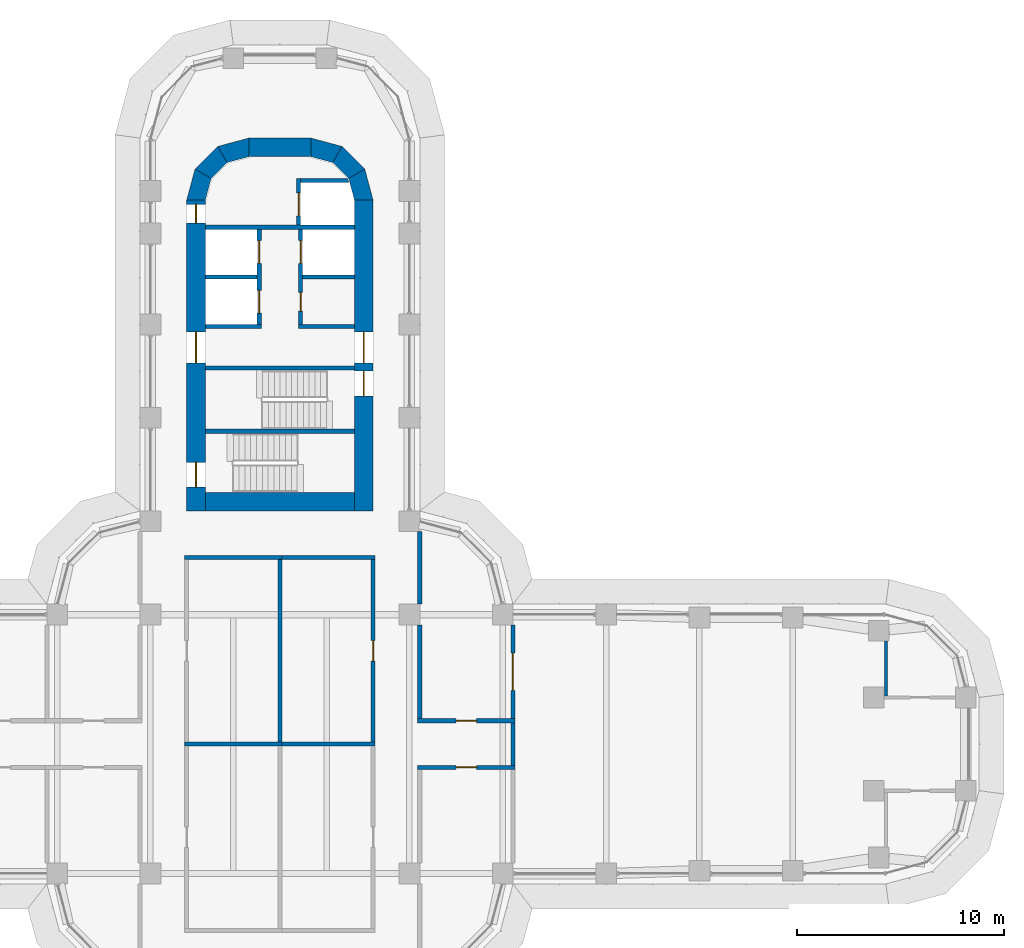
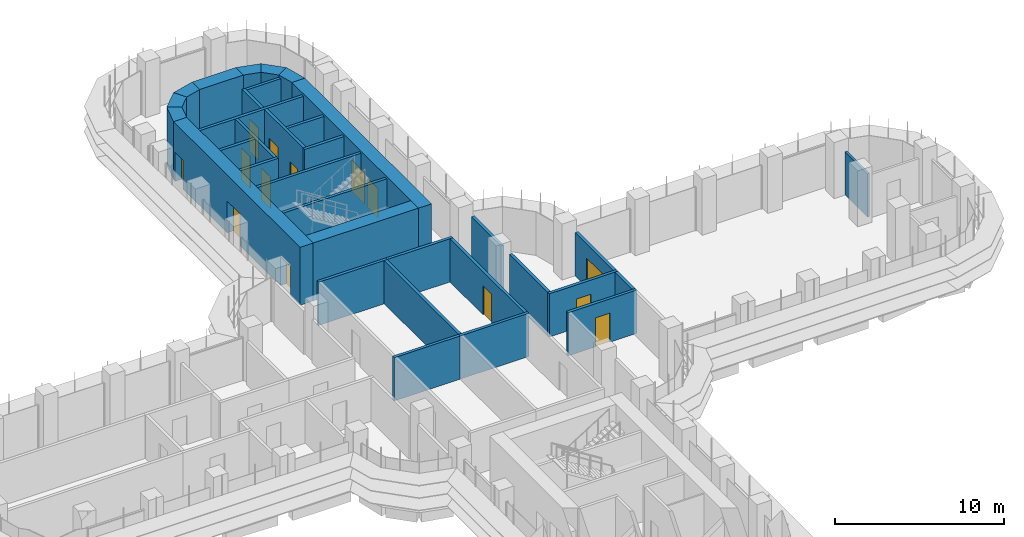
# One storey, part 18 of 23: 34 walls, 14 doors, 14 openings.
"""IFC4 building model written with IfcOpenShell, lengths in metres."""

from ifc_helpers import new_model, si_unit, direction, frame, frame_2d, origin, place, context, subcontext, project, spatial, polyline, rectangle, outline, extrude, material, layer, layer_set, type_object, element, fill, save


model = new_model("IFC4")

# Units and contexts
model_context = context("Model", 3, precision=1e-05, world=origin(), true_north=direction((0.0, 1.0)))
body_context = subcontext(model_context, "Body", "Model", "MODEL_VIEW")
ifc_project = project(units=[si_unit("LENGTHUNIT", "METRE"), si_unit("AREAUNIT", "SQUARE_METRE"), si_unit("VOLUMEUNIT", "CUBIC_METRE"), si_unit("PLANEANGLEUNIT", "RADIAN"), si_unit("MASSUNIT", "GRAM", prefix="KILO")], contexts=[model_context])

# Site, building, storey
site_placement = place(None, origin())
site = spatial("IfcSite", under=ifc_project, at=site_placement, CompositionType="ELEMENT")
building_placement = place(site_placement, origin())
building = spatial("IfcBuilding", under=site, at=building_placement, Name="Zarbagh Exchange Tower", CompositionType="ELEMENT")
storey_placement = place(building_placement, frame((0.0, 0.0, 60.60009765625)))
storey = spatial("IfcBuildingStorey", under=building, at=storey_placement, Name="L13", CompositionType="ELEMENT", Elevation=60.60009765625)

# Wall
ifc_material_1 = material(Name="Plasterboard partition")
ifc_layer_1 = layer(ifc_material_1, 0.14990234375)
ifc_layer_set_1 = layer_set([ifc_layer_1], Name="PARTITION 150")
wall_type_1 = type_object("IfcWallType", Name="PARTITION 150", PredefinedType="PARTITIONING", material=ifc_layer_set_1)
wall_1_placement = place(storey_placement, frame((29.25, 2.324951171875, 0.0), z_axis=(0.0, 0.0, 1.0), x_axis=(0.0, 1.0, 0.0)))
element("IfcWall", 1, at=wall_1_placement, inside=storey, type_object=wall_type_1, Name="Partition W-426", PredefinedType="PARTITIONING", context=body_context, shape_type="SweptSolid", body=[
    extrude(rectangle(XDim=2.650146484375, YDim=0.14990234375, at=frame_2d((1.3251953125, 0.0))), origin(), (0.0, 0.0, 1.0), 3.13037109375),
])

# Wall, opening, door
ifc_material_2 = material(Name="Fire-rated plasterboard partition")
ifc_layer_2 = layer(ifc_material_2, 0.199951171875)
ifc_layer_set_2 = layer_set([ifc_layer_2], Name="RATED PARTITION 200")
wall_type_2 = type_object("IfcWallType", Name="RATED PARTITION 200", PredefinedType="PARTITIONING", material=ifc_layer_set_2)
wall_2_placement = place(storey_placement, frame((4.5, 0.10009765625, 0.0), z_axis=(0.0, 0.0, 1.0), x_axis=(0.0, 1.0, 0.0)))
wall_2 = element("IfcWall", 2, at=wall_2_placement, inside=storey, type_object=wall_type_2, Name="Partition W-407", PredefinedType="PARTITIONING", context=body_context, shape_type="SweptSolid", body=[
    extrude(rectangle(XDim=8.7998046875, YDim=0.199951171875, at=frame_2d((4.39990234375, 0.0))), origin(), (0.0, 0.0, 1.0), 3.13037109375),
])
opening_1_placement = place(wall_2_placement, frame((3.89990234375, 0.0, 0.0)))
opening_1 = element("IfcOpeningElement", 3, at=opening_1_placement, cuts=wall_2, Name="Opening D-401", PredefinedType="OPENING", context=body_context, shape_type="SweptSolid", body=[
    extrude(rectangle(XDim=1.0, YDim=2.10009765625, at=frame_2d((0.5, 1.050048828125))), frame((0.0, 0.10986328125, 0.0), z_axis=(0.0, -1.0, 0.0), x_axis=(1.0, 0.0, 0.0)), (0.0, 0.0, 1.0), 0.219970703125),
])
ifc_material_3 = material(Name="Steel door set", Category="steel")
door_type_1 = type_object("IfcDoorType", Name="FIRE DOOR 1000 X 2100 FD30S", OperationType="NOTDEFINED", PredefinedType="DOOR", material=ifc_material_3)
door_1_placement = place(opening_1_placement, origin())
door_1 = element("IfcDoor", 4, at=door_1_placement, inside=storey, type_object=door_type_1, Name="Door D-401", OperationType="SINGLE_SWING_RIGHT", OverallHeight=2.10009765625, OverallWidth=1.0, PredefinedType="DOOR", context=body_context, shape_type="SweptSolid", body=[
    extrude(rectangle(XDim=1.0, YDim=2.10009765625, at=frame_2d((0.5, 1.050048828125))), frame((0.0, 0.02490234375, 0.0), z_axis=(0.0, -1.0, 0.0), x_axis=(1.0, 0.0, 0.0)), (0.0, 0.0, 1.0), 0.050048828125),
])
fill(opening_1, door_1)

# Walls
wall_3_placement = place(storey_placement, frame((6.75, 1.22509765625, 0.0), z_axis=(0.0, 0.0, 1.0), x_axis=(0.0, 1.0, 0.0)))
element("IfcWall", 5, at=wall_3_placement, inside=storey, type_object=wall_type_2, Name="Partition W-409", PredefinedType="PARTITIONING", context=body_context, shape_type="SweptSolid", body=[
    extrude(rectangle(XDim=4.52490234375, YDim=0.199951171875, at=frame_2d((2.262451171875, 0.0))), origin(), (0.0, 0.0, 1.0), 3.13037109375),
])
wall_4_placement = place(storey_placement, frame((6.75, 6.75, 0.0), z_axis=(0.0, 0.0, 1.0), x_axis=(0.0, 1.0, 0.0)))
element("IfcWall", 6, at=wall_4_placement, inside=storey, type_object=wall_type_2, Name="Partition W-410", PredefinedType="PARTITIONING", context=body_context, shape_type="SweptSolid", body=[
    extrude(rectangle(XDim=3.5, YDim=0.199951171875, at=frame_2d((1.75, 0.0))), origin(), (0.0, 0.0, 1.0), 3.13037109375),
])
for number, where, z_axis, x_axis, name in (
    (7, (-4.60009765625, 9.0, 0.0), (0.0, 0.0, 1.0), (1.0, 0.0, 0.0), "Partition W-413"),
    (8, (-0.10009765625, 9.0, 0.0), (0.0, 0.0, 1.0), (1.0, 0.0, 0.0), "Partition W-414"),
):
    element("IfcWall", number, at=place(storey_placement, frame(where, z_axis=z_axis, x_axis=x_axis)), inside=storey, type_object=wall_type_2, Name=name, PredefinedType="PARTITIONING", context=body_context, shape_type="SweptSolid", body=[
        extrude(rectangle(XDim=4.7001953125, YDim=0.199951171875, at=frame_2d((2.35009765625, 0.0))), origin(), (0.0, 0.0, 1.0), 3.13037109375),
    ])
wall_5_placement = place(storey_placement, frame((0.0, 0.10009765625, 0.0), z_axis=(0.0, 0.0, 1.0), x_axis=(0.0, 1.0, 0.0)))
element("IfcWall", 9, at=wall_5_placement, inside=storey, type_object=wall_type_2, Name="Partition W-417", PredefinedType="PARTITIONING", context=body_context, shape_type="SweptSolid", body=[
    extrude(rectangle(XDim=8.7998046875, YDim=0.199951171875, at=frame_2d((4.39990234375, 0.0))), origin(), (0.0, 0.0, 1.0), 3.13037109375),
])
for number, where, z_axis, x_axis, name in (
    (10, (-4.60009765625, 0.0, 0.0), (0.0, 0.0, 1.0), (1.0, 0.0, 0.0), "Partition W-418"),
    (11, (-0.10009765625, 0.0, 0.0), (0.0, 0.0, 1.0), (1.0, 0.0, 0.0), "Partition W-419"),
):
    element("IfcWall", number, at=place(storey_placement, frame(where, z_axis=z_axis, x_axis=x_axis)), inside=storey, type_object=wall_type_2, Name=name, PredefinedType="PARTITIONING", context=body_context, shape_type="SweptSolid", body=[
        extrude(rectangle(XDim=4.7001953125, YDim=0.199951171875, at=frame_2d((2.35009765625, 0.0))), origin(), (0.0, 0.0, 1.0), 3.13037109375),
    ])

# Wall, opening, door
wall_6_placement = place(storey_placement, frame((6.64990234375, 1.125, 0.0), z_axis=(0.0, 0.0, 1.0), x_axis=(1.0, 0.0, 0.0)))
wall_6 = element("IfcWall", 12, at=wall_6_placement, inside=storey, type_object=wall_type_2, Name="Partition W-421", PredefinedType="PARTITIONING", context=body_context, shape_type="SweptSolid", body=[
    extrude(rectangle(XDim=4.7001953125, YDim=0.199951171875, at=frame_2d((2.35009765625, 0.0))), origin(), (0.0, 0.0, 1.0), 3.13037109375),
])
opening_2_placement = place(wall_6_placement, frame((1.85009765625, 0.0, 0.0)))
opening_2 = element("IfcOpeningElement", 13, at=opening_2_placement, cuts=wall_6, Name="Opening D-408", PredefinedType="OPENING", context=body_context, shape_type="SweptSolid", body=[
    extrude(rectangle(XDim=1.0, YDim=2.10009765625, at=frame_2d((0.5, 1.050048828125))), frame((0.0, 0.10986328125, 0.0), z_axis=(0.0, -1.0, 0.0), x_axis=(1.0, 0.0, 0.0)), (0.0, 0.0, 1.0), 0.219970703125),
])
door_2_placement = place(opening_2_placement, origin())
door_2 = element("IfcDoor", 14, at=door_2_placement, inside=storey, type_object=door_type_1, Name="Door D-408", OperationType="SINGLE_SWING_RIGHT", OverallHeight=2.10009765625, OverallWidth=1.0, PredefinedType="DOOR", context=body_context, shape_type="SweptSolid", body=[
    extrude(rectangle(XDim=1.0, YDim=2.10009765625, at=frame_2d((0.5, 1.050048828125))), frame((0.0, 0.02490234375, 0.0), z_axis=(0.0, -1.0, 0.0), x_axis=(1.0, 0.0, 0.0)), (0.0, 0.0, 1.0), 0.050048828125),
])
fill(opening_2, door_2)

wall_7_placement = place(storey_placement, frame((11.35009765625, -1.125, 0.0), z_axis=(0.0, 0.0, 1.0), x_axis=(-1.0, 0.0, 0.0)))
wall_7 = element("IfcWall", 15, at=wall_7_placement, inside=storey, type_object=wall_type_2, Name="Partition W-422", PredefinedType="PARTITIONING", context=body_context, shape_type="SweptSolid", body=[
    extrude(rectangle(XDim=4.7001953125, YDim=0.199951171875, at=frame_2d((2.35009765625, 0.0))), origin(), (0.0, 0.0, 1.0), 3.13037109375),
])
opening_3_placement = place(wall_7_placement, frame((1.85009765625, 0.0, 0.0)))
opening_3 = element("IfcOpeningElement", 16, at=opening_3_placement, cuts=wall_7, Name="Opening D-409", PredefinedType="OPENING", context=body_context, shape_type="SweptSolid", body=[
    extrude(rectangle(XDim=1.0, YDim=2.10009765625, at=frame_2d((0.5, 1.050048828125))), frame((0.0, 0.10986328125, 0.0), z_axis=(0.0, -1.0, 0.0), x_axis=(1.0, 0.0, 0.0)), (0.0, 0.0, 1.0), 0.219970703125),
])
door_3_placement = place(opening_3_placement, origin())
door_3 = element("IfcDoor", 17, at=door_3_placement, inside=storey, type_object=door_type_1, Name="Door D-409", OperationType="SINGLE_SWING_RIGHT", OverallHeight=2.10009765625, OverallWidth=1.0, PredefinedType="DOOR", context=body_context, shape_type="SweptSolid", body=[
    extrude(rectangle(XDim=1.0, YDim=2.10009765625, at=frame_2d((0.5, 1.050048828125))), frame((0.0, 0.02490234375, 0.0), z_axis=(0.0, -1.0, 0.0), x_axis=(1.0, 0.0, 0.0)), (0.0, 0.0, 1.0), 0.050048828125),
])
fill(opening_3, door_3)

# Wall
wall_8_placement = place(storey_placement, frame((11.25, -1.02490234375, 0.0), z_axis=(0.0, 0.0, 1.0), x_axis=(0.0, 1.0, 0.0)))
element("IfcWall", 18, at=wall_8_placement, inside=storey, type_object=wall_type_2, Name="Partition W-423", PredefinedType="PARTITIONING", context=body_context, shape_type="SweptSolid", body=[
    extrude(rectangle(XDim=2.0498046875, YDim=0.199951171875, at=frame_2d((1.02490234375, 0.0))), origin(), (0.0, 0.0, 1.0), 3.13037109375),
])

# Wall, opening, door
wall_9_placement = place(storey_placement, frame((11.25, 5.75, 0.0), z_axis=(0.0, 0.0, 1.0), x_axis=(0.0, -1.0, 0.0)))
wall_9 = element("IfcWall", 19, at=wall_9_placement, inside=storey, type_object=wall_type_2, Name="Partition W-424", PredefinedType="PARTITIONING", context=body_context, shape_type="SweptSolid", body=[
    extrude(rectangle(XDim=4.52490234375, YDim=0.199951171875, at=frame_2d((2.262451171875, 0.0))), origin(), (0.0, 0.0, 1.0), 3.13037109375),
])
opening_4_placement = place(wall_9_placement, frame((1.362548828125, 0.0, 0.0)))
opening_4 = element("IfcOpeningElement", 20, at=opening_4_placement, cuts=wall_9, Name="Opening D-407", PredefinedType="OPENING", context=body_context, shape_type="SweptSolid", body=[
    extrude(rectangle(XDim=1.800048828125, YDim=2.10009765625, at=frame_2d((0.89990234375, 1.050048828125))), frame((0.0, 0.10986328125, 0.0), z_axis=(0.0, -1.0, 0.0), x_axis=(1.0, 0.0, 0.0)), (0.0, 0.0, 1.0), 0.219970703125),
])
door_type_2 = type_object("IfcDoorType", Name="FIRE DOUBLE DOOR 1800 X 2100 FD30S", OperationType="DOUBLE_DOOR_SINGLE_SWING", PredefinedType="DOOR", material=ifc_material_3)
door_4_placement = place(opening_4_placement, origin())
door_4 = element("IfcDoor", 21, at=door_4_placement, inside=storey, type_object=door_type_2, Name="Door D-407", OperationType="DOUBLE_DOOR_SINGLE_SWING", OverallHeight=2.10009765625, OverallWidth=1.800048828125, PredefinedType="DOOR", context=body_context, shape_type="SweptSolid", body=[
    extrude(rectangle(XDim=1.800048828125, YDim=2.10009765625, at=frame_2d((0.89990234375, 1.050048828125))), frame((0.0, 0.02490234375, 0.0), z_axis=(0.0, -1.0, 0.0), x_axis=(1.0, 0.0, 0.0)), (0.0, 0.0, 1.0), 0.050048828125),
])
fill(opening_4, door_4)

# Walls
ifc_material_4 = material(Name="Concrete C60/75", Category="concrete")
ifc_layer_3 = layer(ifc_material_4, 0.89990234375)
ifc_layer_set_3 = layer_set([ifc_layer_3], Name="RC core corner wall 900 C60/75")
wall_type_3 = type_object("IfcWallType", Name="RC core corner wall 900 C60/75", PredefinedType="SHEAR", material=ifc_layer_set_3)
wall_10_placement = place(storey_placement, origin())
element("IfcWall", 22, at=wall_10_placement, inside=storey, type_object=wall_type_3, Name="CW2 core N corner W", PredefinedType="SHEAR", context=body_context, shape_type="SweptSolid", body=[
    extrude(outline(polyline([(-4.5, 26.25), (-4.09814453125, 27.75), (-3.318603515625, 27.300048828125), (-3.60009765625, 26.25), (-4.5, 26.25)])), origin(), (0.0, 0.0, 1.0), 4.199951171875),
])
wall_11_placement = place(storey_placement, origin())
element("IfcWall", 23, at=wall_11_placement, inside=storey, type_object=wall_type_3, Name="CW2 core N corner W", PredefinedType="SHEAR", context=body_context, shape_type="SweptSolid", body=[
    extrude(outline(polyline([(-4.09814453125, 27.75), (-3.0, 28.84814453125), (-2.550048828125, 28.068603515625), (-3.318603515625, 27.300048828125), (-4.09814453125, 27.75)])), origin(), (0.0, 0.0, 1.0), 4.199951171875),
])
wall_12_placement = place(storey_placement, origin())
element("IfcWall", 24, at=wall_12_placement, inside=storey, type_object=wall_type_3, Name="CW2 core N corner W", PredefinedType="SHEAR", context=body_context, shape_type="SweptSolid", body=[
    extrude(outline(polyline([(-3.0, 28.84814453125), (-1.5, 29.25), (-1.5, 28.35009765625), (-2.550048828125, 28.068603515625), (-3.0, 28.84814453125)])), origin(), (0.0, 0.0, 1.0), 4.199951171875),
])
wall_13_placement = place(storey_placement, origin())
element("IfcWall", 25, at=wall_13_placement, inside=storey, type_object=wall_type_3, Name="CW2 core N corner E", PredefinedType="SHEAR", context=body_context, shape_type="SweptSolid", body=[
    extrude(outline(polyline([(4.5, 26.25), (4.09814453125, 27.75), (3.318603515625, 27.300048828125), (3.60009765625, 26.25), (4.5, 26.25)])), origin(), (0.0, 0.0, 1.0), 4.199951171875),
])
wall_14_placement = place(storey_placement, origin())
element("IfcWall", 26, at=wall_14_placement, inside=storey, type_object=wall_type_3, Name="CW2 core N corner E", PredefinedType="SHEAR", context=body_context, shape_type="SweptSolid", body=[
    extrude(outline(polyline([(4.09814453125, 27.75), (3.0, 28.84814453125), (2.550048828125, 28.068603515625), (3.318603515625, 27.300048828125), (4.09814453125, 27.75)])), origin(), (0.0, 0.0, 1.0), 4.199951171875),
])
wall_15_placement = place(storey_placement, origin())
element("IfcWall", 27, at=wall_15_placement, inside=storey, type_object=wall_type_3, Name="CW2 core N corner E", PredefinedType="SHEAR", context=body_context, shape_type="SweptSolid", body=[
    extrude(outline(polyline([(3.0, 28.84814453125), (1.5, 29.25), (1.5, 28.35009765625), (2.550048828125, 28.068603515625), (3.0, 28.84814453125)])), origin(), (0.0, 0.0, 1.0), 4.199951171875),
])

# Wall, openings, doors
ifc_layer_4 = layer(ifc_material_4, 0.89990234375)
ifc_layer_set_4 = layer_set([ifc_layer_4], Name="RC core wall 900 C60/75")
wall_type_4 = type_object("IfcWallType", Name="RC core wall 900 C60/75", PredefinedType="SHEAR", material=ifc_layer_set_4)
wall_16_placement = place(storey_placement, frame((-4.050048828125, 11.25, 0.0), z_axis=(0.0, 0.0, 1.0), x_axis=(0.0, 1.0, 0.0)))
wall_16 = element("IfcWall", 28, at=wall_16_placement, inside=storey, type_object=wall_type_4, Name="CW1 core N W", PredefinedType="SHEAR", context=body_context, shape_type="SweptSolid", body=[
    extrude(rectangle(XDim=15.0, YDim=0.89990234375, at=frame_2d((7.5, 0.0))), origin(), (0.0, 0.0, 1.0), 4.199951171875),
])
opening_5_placement = place(wall_16_placement, frame((7.14990234375, 0.0, 0.0)))
opening_5 = element("IfcOpeningElement", 29, at=opening_5_placement, cuts=wall_16, Name="Opening CD1-1500", PredefinedType="OPENING", context=body_context, shape_type="SweptSolid", body=[
    extrude(rectangle(XDim=1.5, YDim=2.300048828125, at=frame_2d((0.75, 1.14990234375))), frame((0.0, 0.4599609375, 0.0), z_axis=(0.0, -1.0, 0.0), x_axis=(1.0, 0.0, 0.0)), (0.0, 0.0, 1.0), 0.919921875),
])
opening_6_placement = place(wall_16_placement, frame((13.89990234375, 0.0, 0.0)))
opening_6 = element("IfcOpeningElement", 30, at=opening_6_placement, cuts=wall_16, Name="Opening CD2-900", PredefinedType="OPENING", context=body_context, shape_type="SweptSolid", body=[
    extrude(rectangle(XDim=0.89990234375, YDim=2.10009765625, at=frame_2d((0.449951171875, 1.050048828125))), frame((0.0, 0.4599609375, 0.0), z_axis=(0.0, -1.0, 0.0), x_axis=(1.0, 0.0, 0.0)), (0.0, 0.0, 1.0), 0.919921875),
])
opening_7_placement = place(wall_16_placement, frame((1.14990234375, 0.0, 0.0)))
opening_7 = element("IfcOpeningElement", 31, at=opening_7_placement, cuts=wall_16, Name="Opening SD1-1200", PredefinedType="OPENING", context=body_context, shape_type="SweptSolid", body=[
    extrude(rectangle(XDim=1.199951171875, YDim=2.10009765625, at=frame_2d((0.60009765625, 1.050048828125))), frame((0.0, 0.4599609375, 0.0), z_axis=(0.0, -1.0, 0.0), x_axis=(1.0, 0.0, 0.0)), (0.0, 0.0, 1.0), 0.919921875),
])
ifc_material_5 = material(Name="Steel", Category="steel")
door_type_3 = type_object("IfcDoorType", Name="Exit stair door 1200 x 2100", OperationType="NOTDEFINED", PredefinedType="DOOR", material=ifc_material_5)
door_5_placement = place(opening_7_placement, origin())
door_5 = element("IfcDoor", 32, at=door_5_placement, inside=storey, type_object=door_type_3, Name="North core stair door ST2", OperationType="SINGLE_SWING_LEFT", OverallHeight=2.10009765625, OverallWidth=1.199951171875, PredefinedType="DOOR", context=body_context, shape_type="SweptSolid", body=[
    extrude(rectangle(XDim=1.199951171875, YDim=2.10009765625, at=frame_2d((0.60009765625, 1.050048828125))), frame((0.0, 0.02490234375, 0.0), z_axis=(0.0, -1.0, 0.0), x_axis=(1.0, 0.0, 0.0)), (0.0, 0.0, 1.0), 0.050048828125),
])
fill(opening_7, door_5)
door_type_4 = type_object("IfcDoorType", Name="Firefighting lobby door 900 x 2100", OperationType="NOTDEFINED", PredefinedType="DOOR", material=ifc_material_5)
door_6_placement = place(opening_6_placement, origin())
door_6 = element("IfcDoor", 33, at=door_6_placement, inside=storey, type_object=door_type_4, Name="North core firefighting lobby door FF-W", OperationType="SINGLE_SWING_RIGHT", OverallHeight=2.10009765625, OverallWidth=0.89990234375, PredefinedType="DOOR", context=body_context, shape_type="SweptSolid", body=[
    extrude(rectangle(XDim=0.89990234375, YDim=2.10009765625, at=frame_2d((0.449951171875, 1.050048828125))), frame((0.0, 0.02490234375, 0.0), z_axis=(0.0, -1.0, 0.0), x_axis=(1.0, 0.0, 0.0)), (0.0, 0.0, 1.0), 0.050048828125),
])
fill(opening_6, door_6)
door_type_5 = type_object("IfcDoorType", Name="Lift lobby double door 1500 x 2300", OperationType="NOTDEFINED", PredefinedType="DOOR", material=ifc_material_5)
door_7_placement = place(opening_5_placement, origin())
door_7 = element("IfcDoor", 34, at=door_7_placement, inside=storey, type_object=door_type_5, Name="North core lift lobby door LOBBY-W", OperationType="DOUBLE_DOOR_SINGLE_SWING", OverallHeight=2.300048828125, OverallWidth=1.5, PredefinedType="DOOR", context=body_context, shape_type="SweptSolid", body=[
    extrude(rectangle(XDim=1.5, YDim=2.300048828125, at=frame_2d((0.75, 1.14990234375))), frame((0.0, 0.02490234375, 0.0), z_axis=(0.0, -1.0, 0.0), x_axis=(1.0, 0.0, 0.0)), (0.0, 0.0, 1.0), 0.050048828125),
])
fill(opening_5, door_7)

wall_17_placement = place(storey_placement, frame((4.050048828125, 11.25, 0.0), z_axis=(0.0, 0.0, 1.0), x_axis=(0.0, 1.0, 0.0)))
wall_17 = element("IfcWall", 35, at=wall_17_placement, inside=storey, type_object=wall_type_4, Name="CW1 core N E", PredefinedType="SHEAR", context=body_context, shape_type="SweptSolid", body=[
    extrude(rectangle(XDim=15.0, YDim=0.89990234375, at=frame_2d((7.5, 0.0))), origin(), (0.0, 0.0, 1.0), 4.199951171875),
])
opening_8_placement = place(wall_17_placement, frame((7.14990234375, 0.0, 0.0)))
opening_8 = element("IfcOpeningElement", 36, at=opening_8_placement, cuts=wall_17, Name="Opening CD1-1500", PredefinedType="OPENING", context=body_context, shape_type="SweptSolid", body=[
    extrude(rectangle(XDim=1.5, YDim=2.300048828125, at=frame_2d((0.75, 1.14990234375))), frame((0.0, 0.4599609375, 0.0), z_axis=(0.0, -1.0, 0.0), x_axis=(1.0, 0.0, 0.0)), (0.0, 0.0, 1.0), 0.919921875),
])
opening_9_placement = place(wall_17_placement, frame((5.550048828125, 0.0, 0.0)))
opening_9 = element("IfcOpeningElement", 37, at=opening_9_placement, cuts=wall_17, Name="Opening SD1-1200", PredefinedType="OPENING", context=body_context, shape_type="SweptSolid", body=[
    extrude(rectangle(XDim=1.199951171875, YDim=2.10009765625, at=frame_2d((0.60009765625, 1.050048828125))), frame((0.0, 0.4599609375, 0.0), z_axis=(0.0, -1.0, 0.0), x_axis=(1.0, 0.0, 0.0)), (0.0, 0.0, 1.0), 0.919921875),
])
door_8_placement = place(opening_9_placement, origin())
door_8 = element("IfcDoor", 38, at=door_8_placement, inside=storey, type_object=door_type_3, Name="North core stair door ST1", OperationType="SINGLE_SWING_LEFT", OverallHeight=2.10009765625, OverallWidth=1.199951171875, PredefinedType="DOOR", context=body_context, shape_type="SweptSolid", body=[
    extrude(rectangle(XDim=1.199951171875, YDim=2.10009765625, at=frame_2d((0.60009765625, 1.050048828125))), frame((0.0, 0.02490234375, 0.0), z_axis=(0.0, -1.0, 0.0), x_axis=(1.0, 0.0, 0.0)), (0.0, 0.0, 1.0), 0.050048828125),
])
fill(opening_9, door_8)
door_9_placement = place(opening_8_placement, origin())
door_9 = element("IfcDoor", 39, at=door_9_placement, inside=storey, type_object=door_type_5, Name="North core lift lobby door LOBBY-E", OperationType="DOUBLE_DOOR_SINGLE_SWING", OverallHeight=2.300048828125, OverallWidth=1.5, PredefinedType="DOOR", context=body_context, shape_type="SweptSolid", body=[
    extrude(rectangle(XDim=1.5, YDim=2.300048828125, at=frame_2d((0.75, 1.14990234375))), frame((0.0, 0.02490234375, 0.0), z_axis=(0.0, -1.0, 0.0), x_axis=(1.0, 0.0, 0.0)), (0.0, 0.0, 1.0), 0.050048828125),
])
fill(opening_8, door_9)

# Walls
wall_18_placement = place(storey_placement, frame((-3.60009765625, 11.699951171875, 0.0), z_axis=(0.0, 0.0, 1.0), x_axis=(1.0, 0.0, 0.0)))
element("IfcWall", 40, at=wall_18_placement, inside=storey, type_object=wall_type_4, Name="CW1 core N inner end", PredefinedType="SHEAR", context=body_context, shape_type="SweptSolid", body=[
    extrude(rectangle(XDim=7.2001953125, YDim=0.89990234375, at=frame_2d((3.60009765625, 0.0))), origin(), (0.0, 0.0, 1.0), 4.199951171875),
])
wall_19_placement = place(storey_placement, frame((-1.5, 28.800048828125, 0.0), z_axis=(0.0, 0.0, 1.0), x_axis=(1.0, 0.0, 0.0)))
element("IfcWall", 41, at=wall_19_placement, inside=storey, type_object=wall_type_4, Name="CW1 core N outer end", PredefinedType="SHEAR", context=body_context, shape_type="SweptSolid", body=[
    extrude(rectangle(XDim=3.0, YDim=0.89990234375, at=frame_2d((1.5, 0.0))), origin(), (0.0, 0.0, 1.0), 4.199951171875),
])
ifc_material_6 = material(Name="Dense blockwork", Category="masonry")
ifc_layer_5 = layer(ifc_material_6, 0.199951171875)
ifc_layer_set_5 = layer_set([ifc_layer_5], Name="Shaft wall 200 mm blockwork")
wall_type_5 = type_object("IfcWallType", Name="Shaft wall 200 mm blockwork", PredefinedType="PARTITIONING", material=ifc_layer_set_5)
wall_20_placement = place(storey_placement, frame((-3.60009765625, 20.14990234375, 0.0), z_axis=(0.0, 0.0, 1.0), x_axis=(1.0, 0.0, 0.0)))
element("IfcWall", 42, at=wall_20_placement, inside=storey, type_object=wall_type_5, Name="North core shaft wall AB-W", PredefinedType="PARTITIONING", context=body_context, shape_type="SweptSolid", body=[
    extrude(rectangle(XDim=2.7001953125, YDim=0.199951171875, at=frame_2d((1.35009765625, 0.0))), origin(), (0.0, 0.0, 1.0), 4.0498046875),
])

# Wall, openings, doors
wall_21_placement = place(storey_placement, frame((-1.0, 24.85009765625, 0.0), z_axis=(0.0, 0.0, 1.0), x_axis=(0.0, -1.0, 0.0)))
wall_21 = element("IfcWall", 43, at=wall_21_placement, inside=storey, type_object=wall_type_5, Name="North core shaft wall LW-W", PredefinedType="PARTITIONING", context=body_context, shape_type="SweptSolid", body=[
    extrude(rectangle(XDim=4.60009765625, YDim=0.199951171875, at=frame_2d((2.300048828125, 0.0))), origin(), (0.0, 0.0, 1.0), 4.0498046875),
])
opening_10_placement = place(wall_21_placement, frame((0.550048828125, 0.0, 0.0)))
opening_10 = element("IfcOpeningElement", 44, at=opening_10_placement, cuts=wall_21, Name="Opening LD-1100", PredefinedType="OPENING", context=body_context, shape_type="SweptSolid", body=[
    extrude(rectangle(XDim=1.10009765625, YDim=2.300048828125, at=frame_2d((0.550048828125, 1.14990234375))), frame((0.0, 0.10986328125, 0.0), z_axis=(0.0, -1.0, 0.0), x_axis=(1.0, 0.0, 0.0)), (0.0, 0.0, 1.0), 0.219970703125),
])
opening_11_placement = place(wall_21_placement, frame((2.949951171875, 0.0, 0.0)))
opening_11 = element("IfcOpeningElement", 45, at=opening_11_placement, cuts=wall_21, Name="Opening LD-1100", PredefinedType="OPENING", context=body_context, shape_type="SweptSolid", body=[
    extrude(rectangle(XDim=1.10009765625, YDim=2.300048828125, at=frame_2d((0.550048828125, 1.14990234375))), frame((0.0, 0.10986328125, 0.0), z_axis=(0.0, -1.0, 0.0), x_axis=(1.0, 0.0, 0.0)), (0.0, 0.0, 1.0), 0.219970703125),
])
ifc_material_7 = material(Name="Stainless steel", Category="steel")
door_type_6 = type_object("IfcDoorType", Name="Lift landing door 1100 x 2300", OperationType="NOTDEFINED", PredefinedType="DOOR", material=ifc_material_7)
door_10_placement = place(opening_10_placement, origin())
door_10 = element("IfcDoor", 46, at=door_10_placement, inside=storey, type_object=door_type_6, Name="North core lift landing door LD-P-N1", OperationType="DOUBLE_DOOR_SLIDING", OverallHeight=2.300048828125, OverallWidth=1.10009765625, PredefinedType="DOOR", context=body_context, shape_type="SweptSolid", body=[
    extrude(rectangle(XDim=1.10009765625, YDim=2.300048828125, at=frame_2d((0.550048828125, 1.14990234375))), frame((0.0, 0.02490234375, 0.0), z_axis=(0.0, -1.0, 0.0), x_axis=(1.0, 0.0, 0.0)), (0.0, 0.0, 1.0), 0.050048828125),
])
fill(opening_10, door_10)
door_11_placement = place(opening_11_placement, origin())
door_11 = element("IfcDoor", 47, at=door_11_placement, inside=storey, type_object=door_type_6, Name="North core lift landing door LD-P-N2", OperationType="DOUBLE_DOOR_SLIDING", OverallHeight=2.300048828125, OverallWidth=1.10009765625, PredefinedType="DOOR", context=body_context, shape_type="SweptSolid", body=[
    extrude(rectangle(XDim=1.10009765625, YDim=2.300048828125, at=frame_2d((0.550048828125, 1.14990234375))), frame((0.0, 0.02490234375, 0.0), z_axis=(0.0, -1.0, 0.0), x_axis=(1.0, 0.0, 0.0)), (0.0, 0.0, 1.0), 0.050048828125),
])
fill(opening_11, door_11)

# Wall
wall_22_placement = place(storey_placement, frame((0.89990234375, 20.14990234375, 0.0), z_axis=(0.0, 0.0, 1.0), x_axis=(1.0, 0.0, 0.0)))
element("IfcWall", 48, at=wall_22_placement, inside=storey, type_object=wall_type_5, Name="North core shaft wall AB-E", PredefinedType="PARTITIONING", context=body_context, shape_type="SweptSolid", body=[
    extrude(rectangle(XDim=2.7001953125, YDim=0.199951171875, at=frame_2d((1.35009765625, 0.0))), origin(), (0.0, 0.0, 1.0), 4.0498046875),
])

# Wall, openings, doors
wall_23_placement = place(storey_placement, frame((1.0, 24.85009765625, 0.0), z_axis=(0.0, 0.0, 1.0), x_axis=(0.0, -1.0, 0.0)))
wall_23 = element("IfcWall", 49, at=wall_23_placement, inside=storey, type_object=wall_type_5, Name="North core shaft wall LW-E", PredefinedType="PARTITIONING", context=body_context, shape_type="SweptSolid", body=[
    extrude(rectangle(XDim=4.60009765625, YDim=0.199951171875, at=frame_2d((2.300048828125, 0.0))), origin(), (0.0, 0.0, 1.0), 4.0498046875),
])
opening_12_placement = place(wall_23_placement, frame((0.550048828125, 0.0, 0.0)))
opening_12 = element("IfcOpeningElement", 50, at=opening_12_placement, cuts=wall_23, Name="Opening LD-1100", PredefinedType="OPENING", context=body_context, shape_type="SweptSolid", body=[
    extrude(rectangle(XDim=1.10009765625, YDim=2.300048828125, at=frame_2d((0.550048828125, 1.14990234375))), frame((0.0, 0.10986328125, 0.0), z_axis=(0.0, -1.0, 0.0), x_axis=(1.0, 0.0, 0.0)), (0.0, 0.0, 1.0), 0.219970703125),
])
opening_13_placement = place(wall_23_placement, frame((3.050048828125, 0.0, 0.0)))
opening_13 = element("IfcOpeningElement", 51, at=opening_13_placement, cuts=wall_23, Name="Opening CD3-900", PredefinedType="OPENING", context=body_context, shape_type="SweptSolid", body=[
    extrude(rectangle(XDim=0.89990234375, YDim=2.10009765625, at=frame_2d((0.449951171875, 1.050048828125))), frame((0.0, 0.10986328125, 0.0), z_axis=(0.0, -1.0, 0.0), x_axis=(1.0, 0.0, 0.0)), (0.0, 0.0, 1.0), 0.219970703125),
])
door_type_7 = type_object("IfcDoorType", Name="Core room door 900 x 2100", OperationType="NOTDEFINED", PredefinedType="DOOR", material=ifc_material_5)
door_12_placement = place(opening_13_placement, origin())
door_12 = element("IfcDoor", 52, at=door_12_placement, inside=storey, type_object=door_type_7, Name="North core Accessible WC door RD-E-0", OperationType="SINGLE_SWING_RIGHT", OverallHeight=2.10009765625, OverallWidth=0.89990234375, PredefinedType="DOOR", context=body_context, shape_type="SweptSolid", body=[
    extrude(rectangle(XDim=0.89990234375, YDim=2.10009765625, at=frame_2d((0.449951171875, 1.050048828125))), frame((0.0, 0.02490234375, 0.0), z_axis=(0.0, -1.0, 0.0), x_axis=(1.0, 0.0, 0.0)), (0.0, 0.0, 1.0), 0.050048828125),
])
fill(opening_13, door_12)
door_13_placement = place(opening_12_placement, origin())
door_13 = element("IfcDoor", 53, at=door_13_placement, inside=storey, type_object=door_type_6, Name="North core lift landing door LD-P-N3", OperationType="DOUBLE_DOOR_SLIDING", OverallHeight=2.300048828125, OverallWidth=1.10009765625, PredefinedType="DOOR", context=body_context, shape_type="SweptSolid", body=[
    extrude(rectangle(XDim=1.10009765625, YDim=2.300048828125, at=frame_2d((0.550048828125, 1.14990234375))), frame((0.0, 0.02490234375, 0.0), z_axis=(0.0, -1.0, 0.0), x_axis=(1.0, 0.0, 0.0)), (0.0, 0.0, 1.0), 0.050048828125),
])
fill(opening_12, door_13)

# Walls
for number, where, z_axis, x_axis, name in (
    (54, (-3.60009765625, 22.550048828125, 0.0), (0.0, 0.0, 1.0), (1.0, 0.0, 0.0), "North core shaft wall TR-W"),
    (55, (1.10009765625, 22.550048828125, 0.0), (0.0, 0.0, 1.0), (1.0, 0.0, 0.0), "North core shaft wall TR-E"),
):
    element("IfcWall", number, at=place(storey_placement, frame(where, z_axis=z_axis, x_axis=x_axis)), inside=storey, type_object=wall_type_5, Name=name, PredefinedType="PARTITIONING", context=body_context, shape_type="SweptSolid", body=[
        extrude(rectangle(XDim=2.5, YDim=0.199951171875, at=frame_2d((1.25, 0.0))), origin(), (0.0, 0.0, 1.0), 4.0498046875),
    ])
ifc_material_8 = material(Name="Concrete C40/50", Category="concrete")
ifc_layer_6 = layer(ifc_material_8, 0.199951171875)
ifc_layer_set_6 = layer_set([ifc_layer_6], Name="Stair enclosure wall 200 mm RC C40/50")
wall_type_6 = type_object("IfcWallType", Name="Stair enclosure wall 200 mm RC C40/50", PredefinedType="SHEAR", material=ifc_layer_set_6)
wall_24_placement = place(storey_placement, frame((-3.60009765625, 24.949951171875, 0.0), z_axis=(0.0, 0.0, 1.0), x_axis=(1.0, 0.0, 0.0)))
element("IfcWall", 56, at=wall_24_placement, inside=storey, type_object=wall_type_6, Name="North core lift shaft wall FFA", PredefinedType="SHEAR", context=body_context, shape_type="SweptSolid", body=[
    extrude(rectangle(XDim=7.2001953125, YDim=0.199951171875, at=frame_2d((3.60009765625, 0.0))), origin(), (0.0, 0.0, 1.0), 4.0498046875),
])

# Wall, opening, door
wall_25_placement = place(storey_placement, frame((0.89990234375, 27.300048828125, 0.0), z_axis=(0.0, 0.0, 1.0), x_axis=(0.0, -1.0, 0.0)))
wall_25 = element("IfcWall", 57, at=wall_25_placement, inside=storey, type_object=wall_type_6, Name="North core lift shaft wall FFL", PredefinedType="SHEAR", context=body_context, shape_type="SweptSolid", body=[
    extrude(rectangle(XDim=2.25, YDim=0.199951171875, at=frame_2d((1.125, 0.0))), origin(), (0.0, 0.0, 1.0), 4.0498046875),
])
opening_14_placement = place(wall_25_placement, frame((0.699951171875, 0.0, 0.0)))
opening_14 = element("IfcOpeningElement", 58, at=opening_14_placement, cuts=wall_25, Name="Opening LD-1100", PredefinedType="OPENING", context=body_context, shape_type="SweptSolid", body=[
    extrude(rectangle(XDim=1.10009765625, YDim=2.300048828125, at=frame_2d((0.550048828125, 1.14990234375))), frame((0.0, 0.10986328125, 0.0), z_axis=(0.0, -1.0, 0.0), x_axis=(1.0, 0.0, 0.0)), (0.0, 0.0, 1.0), 0.219970703125),
])
door_14_placement = place(opening_14_placement, origin())
door_14 = element("IfcDoor", 59, at=door_14_placement, inside=storey, type_object=door_type_6, Name="North core lift landing door LD-F", OperationType="DOUBLE_DOOR_SLIDING", OverallHeight=2.300048828125, OverallWidth=1.10009765625, PredefinedType="DOOR", context=body_context, shape_type="SweptSolid", body=[
    extrude(rectangle(XDim=1.10009765625, YDim=2.300048828125, at=frame_2d((0.550048828125, 1.14990234375))), frame((0.0, 0.02490234375, 0.0), z_axis=(0.0, -1.0, 0.0), x_axis=(1.0, 0.0, 0.0)), (0.0, 0.0, 1.0), 0.050048828125),
])
fill(opening_14, door_14)

# Walls
wall_26_placement = place(storey_placement, origin())
element("IfcWall", 60, at=wall_26_placement, inside=storey, type_object=wall_type_6, Name="North core lift shaft wall FFX", PredefinedType="SHEAR", context=body_context, shape_type="SweptSolid", body=[
    extrude(outline(polyline([(1.0, 27.10009765625), (3.340576171875, 27.10009765625), (3.291259765625, 27.2841796875), (3.275390625, 27.300048828125), (1.0, 27.300048828125), (1.0, 27.10009765625)])), origin(), (0.0, 0.0, 1.0), 4.0498046875),
])
for number, where, z_axis, x_axis, name in (
    (61, (-3.60009765625, 18.14990234375, 0.0), (0.0, 0.0, 1.0), (1.0, 0.0, 0.0), "North core stair wall BS"),
    (62, (-3.60009765625, 15.10009765625, 0.0), (0.0, 0.0, 1.0), (1.0, 0.0, 0.0), "North core stair wall ST12"),
):
    element("IfcWall", number, at=place(storey_placement, frame(where, z_axis=z_axis, x_axis=x_axis)), inside=storey, type_object=wall_type_6, Name=name, PredefinedType="SHEAR", context=body_context, shape_type="SweptSolid", body=[
        extrude(rectangle(XDim=7.2001953125, YDim=0.199951171875, at=frame_2d((3.60009765625, 0.0))), origin(), (0.0, 0.0, 1.0), 4.0498046875),
    ])

save(model, "model.ifc")
